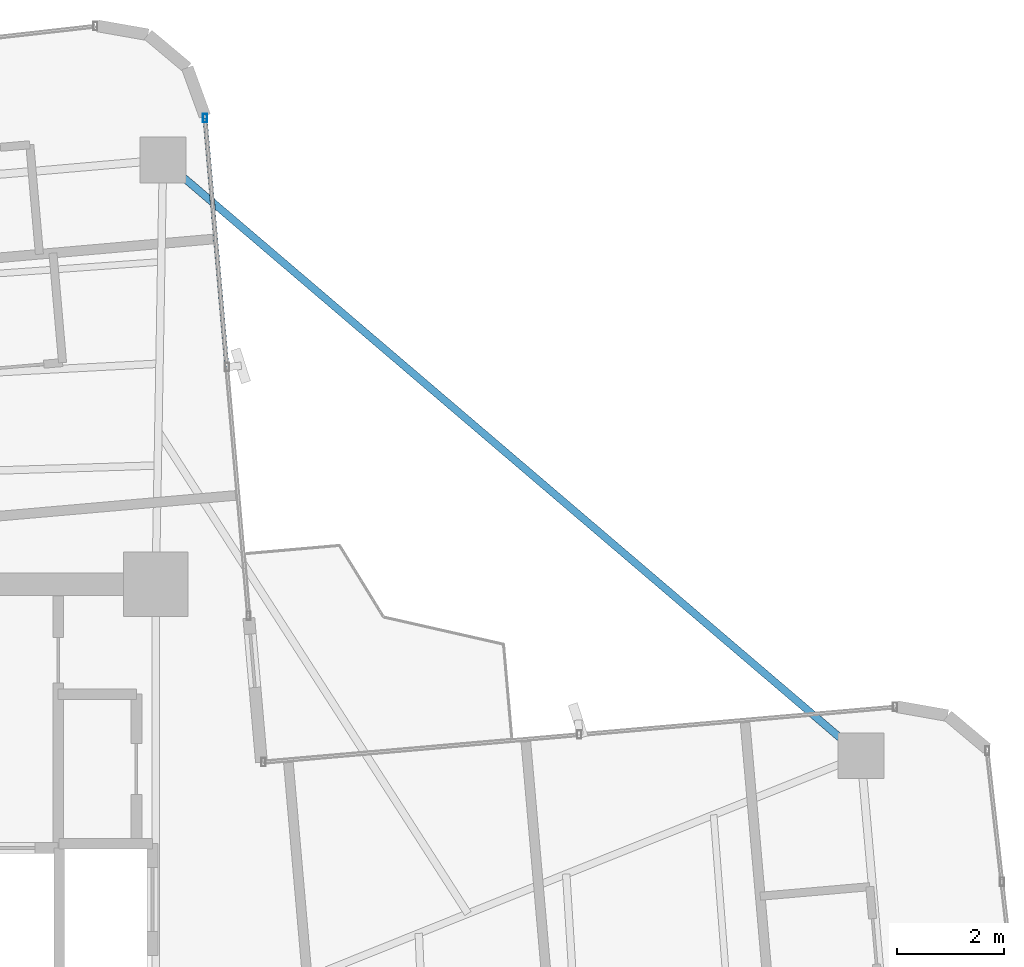
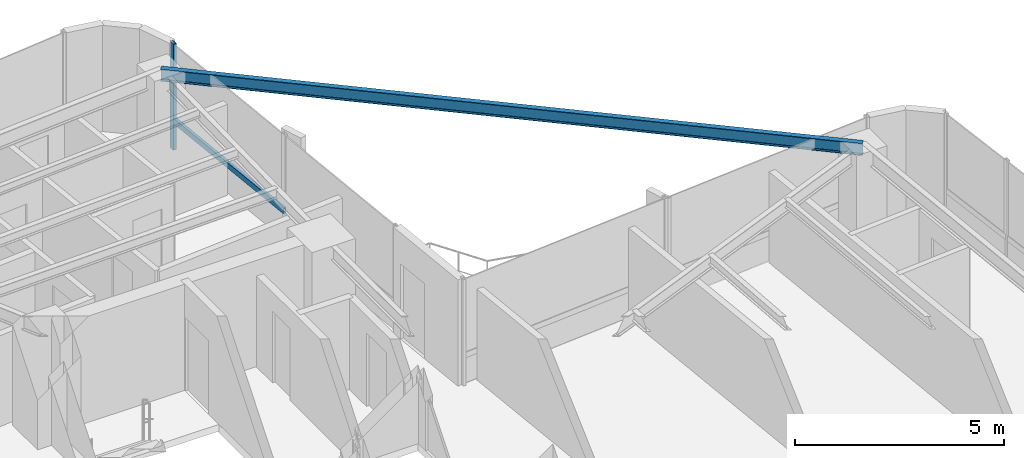
# One storey, part 17 of 24: 2 members, 1 beam, 1 element without a shape of its own.
"""IFC4 building model written with IfcOpenShell, lengths in metres."""

from ifc_helpers import new_model, si_unit, direction, frame, origin, origin_2d, place, context, subcontext, project, spatial, hollow_rectangle, i_section, extrude, source, transform, mapped, material, material_profile, profile_set, type_object, element, aggregate, save


model = new_model("IFC4")

# Units and contexts
model_context = context("Model", 3, precision=1e-05, world=origin(), true_north=direction((0.0, 1.0)))
body_context = subcontext(model_context, "Body", "Model", "MODEL_VIEW")
ifc_project = project(units=[si_unit("LENGTHUNIT", "METRE"), si_unit("AREAUNIT", "SQUARE_METRE"), si_unit("VOLUMEUNIT", "CUBIC_METRE"), si_unit("PLANEANGLEUNIT", "RADIAN"), si_unit("MASSUNIT", "GRAM", prefix="KILO")], contexts=[model_context])

# Site, building, storey
site_placement = place(None, origin())
site = spatial("IfcSite", under=ifc_project, at=site_placement, CompositionType="ELEMENT")
building_placement = place(site_placement, origin())
building = spatial("IfcBuilding", under=site, at=building_placement, Name="Sahyath Konkavel Grand Hotel", CompositionType="ELEMENT")
storey_placement = place(building_placement, frame((0.0, 0.0, 157.300048828125)))
storey = spatial("IfcBuildingStorey", under=building, at=storey_placement, Name="L43", CompositionType="ELEMENT", Elevation=157.300048828125)

# Beam
ifc_material_1 = material(Name="Steel E350", Category="steel")
ifc_material_profile_1 = material_profile(ifc_material_1, i_section(OverallWidth=0.139892578125, OverallDepth=0.35009765625, WebThickness=0.008056640625, FlangeThickness=0.01416015625, FilletRadius=0.013916015625, at=origin_2d()), Name="ISMB 350")
ifc_profile_set_1 = profile_set([ifc_material_profile_1], Name="Steel E350")
beam_type = type_object("IfcBeamType", Name="BM-ISMB350", PredefinedType="BEAM", material=ifc_profile_set_1)
shared_shape_1 = source(origin(), body_context, "Body", "SweptSolid", [
    extrude(i_section(OverallWidth=0.139892578125, OverallDepth=0.35009765625, WebThickness=0.008056640625, FlangeThickness=0.01416015625, FilletRadius=0.013916015625, at=origin_2d()), origin(), (0.0, 0.0, 1.0), 17.11279296875),
])
beam_placement = place(storey_placement, frame((16.9541015625, 7.00439453125, 2.93505859375), z_axis=(-0.760711911164, 0.649089661151, 0.0), x_axis=(-0.649089661151, -0.760711911164, 0.0)))
element("IfcBeam", 1, at=beam_placement, inside=storey, type_object=beam_type, Name="L43 Re-Entrant Tie Beam NE", PredefinedType="BEAM", context=body_context, shape_type="MappedRepresentation", body=[
    mapped(shared_shape_1, transform((0.0, 0.0, 0.0), scale=1.0)),
])

# Curtain wall, members
ifc_material_2 = material(Name="Anodised Bronze Aluminium & Low-E Glazing", Category="aluminium")
curtain_wall_type = type_object("IfcCurtainWallType", Name="CW-ZONE3", PredefinedType="NOTDEFINED", material=ifc_material_2)
curtain_wall_placement = place(storey_placement, origin())
curtain_wall = element("IfcCurtainWall", 2, at=curtain_wall_placement, inside=storey, type_object=curtain_wall_type, Name="L43 Unitised Curtain Wall F8", PredefinedType="NOTDEFINED")
ifc_material_3 = material(Name="Anodised Bronze Aluminium", Category="aluminium")
ifc_material_profile_2 = material_profile(ifc_material_3, hollow_rectangle(XDim=0.080078125, YDim=0.159912109375, WallThickness=0.006103515625, at=origin_2d()), Name="RHS 160x80x6")
ifc_profile_set_2 = profile_set([ifc_material_profile_2], Name="Anodised Bronze Aluminium")
member_type_1 = type_object("IfcMemberType", Name="CW-MUL-160", PredefinedType="MULLION", material=ifc_profile_set_2)
shared_shape_2 = source(origin(), body_context, "Body", "SweptSolid", [
    extrude(hollow_rectangle(XDim=0.080078125, YDim=0.159912109375, WallThickness=0.006103515625, at=origin_2d()), origin(), (0.0, 0.0, 1.0), 3.10986328125),
])
member_1_placement = place(storey_placement, frame((4.72119140625, 18.893310546875, 0.0), z_axis=(0.0, 0.0, 1.0), x_axis=(1.0, 0.0, 0.0)))
member_1 = element("IfcMember", 3, at=member_1_placement, type_object=member_type_1, Name="L43 Curtain Wall Mullion F8-2", PredefinedType="MULLION", context=body_context, shape_type="MappedRepresentation", body=[
    mapped(shared_shape_2, transform((0.0, 0.0, 0.0), scale=1.0)),
])
ifc_material_profile_3 = material_profile(ifc_material_3, hollow_rectangle(XDim=0.080078125, YDim=0.159912109375, WallThickness=0.006103515625, at=origin_2d()), Name="RHS 160x80x6")
ifc_profile_set_3 = profile_set([ifc_material_profile_3], Name="Anodised Bronze Aluminium")
member_type_2 = type_object("IfcMemberType", Name="CW-TRN-160", PredefinedType="USERDEFINED", material=ifc_profile_set_3)
shared_shape_3 = source(origin(), body_context, "Body", "SweptSolid", [
    extrude(hollow_rectangle(XDim=0.080078125, YDim=0.159912109375, WallThickness=0.006103515625, at=origin_2d()), origin(), (0.0, 0.0, 1.0), 4.659912109375),
])
member_2_placement = place(storey_placement, frame((5.12744140625, 14.251220703125, 0.849853515625), z_axis=(-0.087181248758, 0.996192466276, 0.0), x_axis=(-0.996192466276, -0.087181248758, 0.0)))
member_2 = element("IfcMember", 4, at=member_2_placement, type_object=member_type_2, Name="L43 Curtain Wall Transom F8-1-spandrel", ObjectType="TRANSOM", PredefinedType="USERDEFINED", context=body_context, shape_type="MappedRepresentation", body=[
    mapped(shared_shape_3, transform((0.0, 0.0, 0.0), scale=1.0)),
])
aggregate(curtain_wall, [member_1, member_2])

save(model, "model.ifc")
